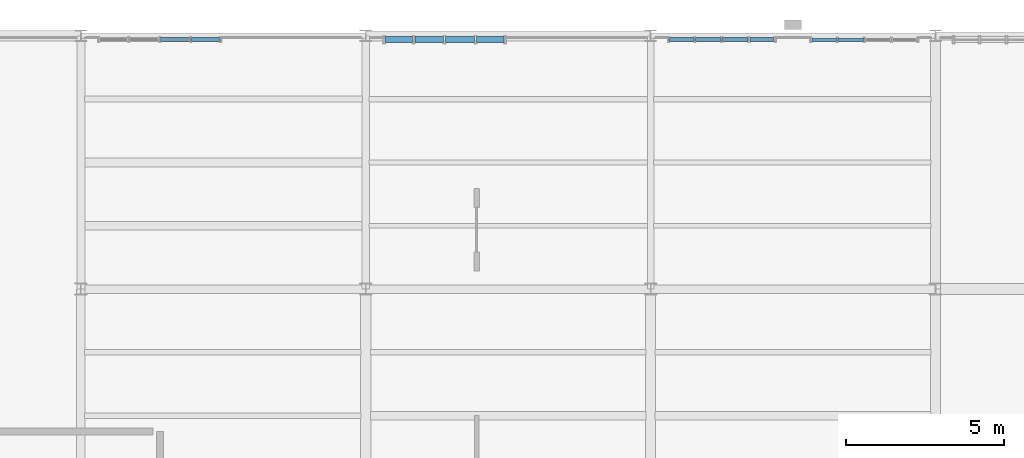
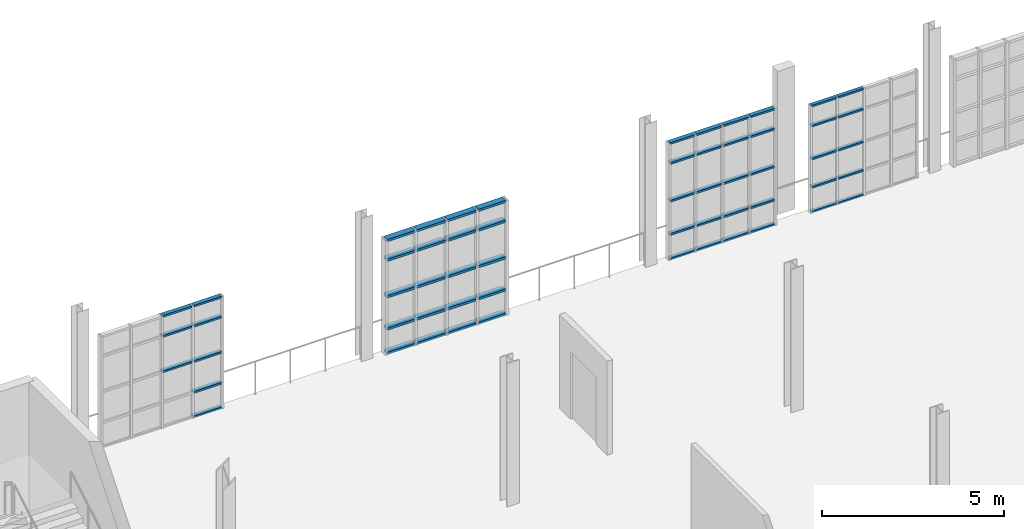
# One storey, part 85 of 118: 58 members, 4 elements without a shape of their own.
"""IFC4 building model written with IfcOpenShell, lengths in metres."""

from ifc_helpers import new_model, si_unit, direction, frame, origin, origin_2d, place, context, subcontext, project, spatial, hollow_rectangle, extrude, material, layer, layer_set, material_profile, profile_set, type_object, element, aggregate, save


model = new_model("IFC4")

# Units and contexts
model_context = context("Model", 3, precision=1e-05, world=origin(), true_north=direction((0.0, 1.0)))
body_context = subcontext(model_context, "Body", "Model", "MODEL_VIEW")
ifc_project = project(units=[si_unit("LENGTHUNIT", "METRE"), si_unit("AREAUNIT", "SQUARE_METRE"), si_unit("VOLUMEUNIT", "CUBIC_METRE"), si_unit("PLANEANGLEUNIT", "RADIAN"), si_unit("MASSUNIT", "GRAM", prefix="KILO"), si_unit("THERMODYNAMICTEMPERATUREUNIT", "KELVIN"), si_unit("POWERUNIT", "WATT")], contexts=[model_context])

# Site, building, storey
site_placement = place(None, origin())
site = spatial("IfcSite", under=ifc_project, at=site_placement, CompositionType="ELEMENT")
building_placement = place(site_placement, origin())
building = spatial("IfcBuilding", under=site, at=building_placement, Name="Zelmaris Science Centre", CompositionType="ELEMENT")
storey_placement = place(building_placement, frame((0.0, 0.0, 15.60009765625)))
storey = spatial("IfcBuildingStorey", under=building, at=storey_placement, Name="L03", CompositionType="ELEMENT", Elevation=15.60009765625)

# Curtain wall, members
ifc_material = material(Name="Anodised architectural aluminium 6063-T6", Category="aluminium")
ifc_layer_1 = layer(ifc_material, 0.219970703125, Name="Anodised architectural aluminium 6063-T6")
ifc_layer_set_1 = layer_set([ifc_layer_1], Name="Anodised architectural aluminium 6063-T6")
curtain_wall_type_1 = type_object("IfcCurtainWallType", Name="Curtain Wall CW-04", PredefinedType="USERDEFINED", material=ifc_layer_set_1)
curtain_wall_1_placement = place(storey_placement, origin())
curtain_wall_1 = element("IfcCurtainWall", 1, at=curtain_wall_1_placement, inside=storey, type_object=curtain_wall_type_1, Name="L03 Unitised curtain wall 288", ObjectType="GLAZED CURTAIN WALL", PredefinedType="USERDEFINED")
ifc_material_profile_1 = material_profile(ifc_material, hollow_rectangle(XDim=0.06005859375, YDim=0.110107421875, WallThickness=0.0029296875, at=origin_2d()), Name="ALU-TRN-60X110")
ifc_profile_set_1 = profile_set([ifc_material_profile_1], Name="Anodised architectural aluminium 6063-T6")
member_type_1 = type_object("IfcMemberType", Name="ALU-TRN-60X110", PredefinedType="USERDEFINED", material=ifc_profile_set_1)
member_1_placement = place(storey_placement, frame((95.092041015625, 87.8798828125, 0.010986328125), z_axis=(1.0, 0.0, 0.0), x_axis=(0.0, 0.0, 1.0)))
member_1 = element("IfcMember", 2, at=member_1_placement, type_object=member_type_1, Name="CW-04 transom 1.1", ObjectType="TRANSOM", PredefinedType="USERDEFINED", context=body_context, shape_type="SweptSolid", body=[
    extrude(hollow_rectangle(XDim=0.06005859375, YDim=0.110107421875, WallThickness=0.0029296875, at=origin_2d()), origin(), (0.0, 0.0, 1.0), 0.77685546875),
])
member_2_placement = place(storey_placement, frame((95.092041015625, 87.8798828125, 0.8349609375), z_axis=(1.0, 0.0, 0.0), x_axis=(0.0, 0.0, 1.0)))
member_2 = element("IfcMember", 3, at=member_2_placement, type_object=member_type_1, Name="CW-04 transom 1.2", ObjectType="TRANSOM", PredefinedType="USERDEFINED", context=body_context, shape_type="SweptSolid", body=[
    extrude(hollow_rectangle(XDim=0.06005859375, YDim=0.110107421875, WallThickness=0.0029296875, at=origin_2d()), origin(), (0.0, 0.0, 1.0), 0.77685546875),
])
member_3_placement = place(storey_placement, frame((95.092041015625, 87.8798828125, 1.786376953125), z_axis=(1.0, 0.0, 0.0), x_axis=(0.0, 0.0, 1.0)))
member_3 = element("IfcMember", 4, at=member_3_placement, type_object=member_type_1, Name="CW-04 transom 1.3", ObjectType="TRANSOM", PredefinedType="USERDEFINED", context=body_context, shape_type="SweptSolid", body=[
    extrude(hollow_rectangle(XDim=0.06005859375, YDim=0.110107421875, WallThickness=0.0029296875, at=origin_2d()), origin(), (0.0, 0.0, 1.0), 0.77685546875),
])
member_4_placement = place(storey_placement, frame((95.092041015625, 87.8798828125, 2.887939453125), z_axis=(1.0, 0.0, 0.0), x_axis=(0.0, 0.0, 1.0)))
member_4 = element("IfcMember", 5, at=member_4_placement, type_object=member_type_1, Name="CW-04 transom 1.4", ObjectType="TRANSOM", PredefinedType="USERDEFINED", context=body_context, shape_type="SweptSolid", body=[
    extrude(hollow_rectangle(XDim=0.06005859375, YDim=0.110107421875, WallThickness=0.0029296875, at=origin_2d()), origin(), (0.0, 0.0, 1.0), 0.77685546875),
])
member_5_placement = place(storey_placement, frame((95.092041015625, 87.8798828125, 3.56201171875), z_axis=(1.0, 0.0, 0.0), x_axis=(0.0, 0.0, 1.0)))
member_5 = element("IfcMember", 6, at=member_5_placement, type_object=member_type_1, Name="CW-04 transom 1.5", ObjectType="TRANSOM", PredefinedType="USERDEFINED", context=body_context, shape_type="SweptSolid", body=[
    extrude(hollow_rectangle(XDim=0.06005859375, YDim=0.110107421875, WallThickness=0.0029296875, at=origin_2d()), origin(), (0.0, 0.0, 1.0), 0.77685546875),
])
member_6_placement = place(storey_placement, frame((95.9208984375, 87.8798828125, 0.010986328125), z_axis=(1.0, 0.0, 0.0), x_axis=(0.0, 0.0, 1.0)))
member_6 = element("IfcMember", 7, at=member_6_placement, type_object=member_type_1, Name="CW-04 transom 2.1", ObjectType="TRANSOM", PredefinedType="USERDEFINED", context=body_context, shape_type="SweptSolid", body=[
    extrude(hollow_rectangle(XDim=0.06005859375, YDim=0.110107421875, WallThickness=0.0029296875, at=origin_2d()), origin(), (0.0, 0.0, 1.0), 0.80322265625),
])
member_7_placement = place(storey_placement, frame((95.9208984375, 87.8798828125, 0.8349609375), z_axis=(1.0, 0.0, 0.0), x_axis=(0.0, 0.0, 1.0)))
member_7 = element("IfcMember", 8, at=member_7_placement, type_object=member_type_1, Name="CW-04 transom 2.2", ObjectType="TRANSOM", PredefinedType="USERDEFINED", context=body_context, shape_type="SweptSolid", body=[
    extrude(hollow_rectangle(XDim=0.06005859375, YDim=0.110107421875, WallThickness=0.0029296875, at=origin_2d()), origin(), (0.0, 0.0, 1.0), 0.80322265625),
])
member_8_placement = place(storey_placement, frame((95.9208984375, 87.8798828125, 1.786376953125), z_axis=(1.0, 0.0, 0.0), x_axis=(0.0, 0.0, 1.0)))
member_8 = element("IfcMember", 9, at=member_8_placement, type_object=member_type_1, Name="CW-04 transom 2.3", ObjectType="TRANSOM", PredefinedType="USERDEFINED", context=body_context, shape_type="SweptSolid", body=[
    extrude(hollow_rectangle(XDim=0.06005859375, YDim=0.110107421875, WallThickness=0.0029296875, at=origin_2d()), origin(), (0.0, 0.0, 1.0), 0.80322265625),
])
member_9_placement = place(storey_placement, frame((95.9208984375, 87.8798828125, 2.887939453125), z_axis=(1.0, 0.0, 0.0), x_axis=(0.0, 0.0, 1.0)))
member_9 = element("IfcMember", 10, at=member_9_placement, type_object=member_type_1, Name="CW-04 transom 2.4", ObjectType="TRANSOM", PredefinedType="USERDEFINED", context=body_context, shape_type="SweptSolid", body=[
    extrude(hollow_rectangle(XDim=0.06005859375, YDim=0.110107421875, WallThickness=0.0029296875, at=origin_2d()), origin(), (0.0, 0.0, 1.0), 0.80322265625),
])
member_10_placement = place(storey_placement, frame((95.9208984375, 87.8798828125, 3.56201171875), z_axis=(1.0, 0.0, 0.0), x_axis=(0.0, 0.0, 1.0)))
member_10 = element("IfcMember", 11, at=member_10_placement, type_object=member_type_1, Name="CW-04 transom 2.5", ObjectType="TRANSOM", PredefinedType="USERDEFINED", context=body_context, shape_type="SweptSolid", body=[
    extrude(hollow_rectangle(XDim=0.06005859375, YDim=0.110107421875, WallThickness=0.0029296875, at=origin_2d()), origin(), (0.0, 0.0, 1.0), 0.80322265625),
])
aggregate(curtain_wall_1, [member_1, member_2, member_3, member_4, member_5, member_6, member_7, member_8, member_9, member_10])

ifc_layer_2 = layer(ifc_material, 0.2099609375, Name="Anodised architectural aluminium 6063-T6")
ifc_layer_set_2 = layer_set([ifc_layer_2], Name="Anodised architectural aluminium 6063-T6")
curtain_wall_type_2 = type_object("IfcCurtainWallType", Name="Curtain Wall CW-03", PredefinedType="USERDEFINED", material=ifc_layer_set_2)
curtain_wall_2_placement = place(storey_placement, origin())
curtain_wall_2 = element("IfcCurtainWall", 12, at=curtain_wall_2_placement, inside=storey, type_object=curtain_wall_type_2, Name="L03 Unitised curtain wall 283", ObjectType="GLAZED CURTAIN WALL", PredefinedType="USERDEFINED")
ifc_material_profile_2 = material_profile(ifc_material, hollow_rectangle(XDim=0.06494140625, YDim=0.1298828125, WallThickness=0.00341796875, at=origin_2d()), Name="ALU-TRN-65X130")
ifc_profile_set_2 = profile_set([ifc_material_profile_2], Name="Anodised architectural aluminium 6063-T6")
member_type_2 = type_object("IfcMemberType", Name="ALU-TRN-65X130", PredefinedType="USERDEFINED", material=ifc_profile_set_2)
member_11_placement = place(storey_placement, frame((74.5185546875, 87.8798828125, 1.868896484375), z_axis=(1.0, 0.0, 0.0), x_axis=(0.0, 0.0, 1.0)))
member_11 = element("IfcMember", 13, at=member_11_placement, type_object=member_type_2, Name="CW-03 transom 3.3", ObjectType="TRANSOM", PredefinedType="USERDEFINED", context=body_context, shape_type="SweptSolid", body=[
    extrude(hollow_rectangle(XDim=0.06494140625, YDim=0.1298828125, WallThickness=0.00341796875, at=origin_2d()), origin(), (0.0, 0.0, 1.0), 0.91796875),
])
member_12_placement = place(storey_placement, frame((74.5185546875, 87.8798828125, 3.052978515625), z_axis=(1.0, 0.0, 0.0), x_axis=(0.0, 0.0, 1.0)))
member_12 = element("IfcMember", 14, at=member_12_placement, type_object=member_type_2, Name="CW-03 transom 3.4", ObjectType="TRANSOM", PredefinedType="USERDEFINED", context=body_context, shape_type="SweptSolid", body=[
    extrude(hollow_rectangle(XDim=0.06494140625, YDim=0.1298828125, WallThickness=0.00341796875, at=origin_2d()), origin(), (0.0, 0.0, 1.0), 0.91796875),
])
member_13_placement = place(storey_placement, frame((74.5185546875, 87.8798828125, 3.724365234375), z_axis=(1.0, 0.0, 0.0), x_axis=(0.0, 0.0, 1.0)))
member_13 = element("IfcMember", 15, at=member_13_placement, type_object=member_type_2, Name="CW-03 transom 3.5", ObjectType="TRANSOM", PredefinedType="USERDEFINED", context=body_context, shape_type="SweptSolid", body=[
    extrude(hollow_rectangle(XDim=0.06494140625, YDim=0.1298828125, WallThickness=0.00341796875, at=origin_2d()), origin(), (0.0, 0.0, 1.0), 0.91796875),
])
member_14_placement = place(storey_placement, frame((75.493408203125, 87.8798828125, 0.013427734375), z_axis=(1.0, 0.0, 0.0), x_axis=(0.0, 0.0, 1.0)))
member_14 = element("IfcMember", 16, at=member_14_placement, type_object=member_type_2, Name="CW-03 transom 4.1", ObjectType="TRANSOM", PredefinedType="USERDEFINED", context=body_context, shape_type="SweptSolid", body=[
    extrude(hollow_rectangle(XDim=0.06494140625, YDim=0.1298828125, WallThickness=0.00341796875, at=origin_2d()), origin(), (0.0, 0.0, 1.0), 0.8896484375),
])
member_15_placement = place(storey_placement, frame((75.493408203125, 87.8798828125, 0.8349609375), z_axis=(1.0, 0.0, 0.0), x_axis=(0.0, 0.0, 1.0)))
member_15 = element("IfcMember", 17, at=member_15_placement, type_object=member_type_2, Name="CW-03 transom 4.2", ObjectType="TRANSOM", PredefinedType="USERDEFINED", context=body_context, shape_type="SweptSolid", body=[
    extrude(hollow_rectangle(XDim=0.06494140625, YDim=0.1298828125, WallThickness=0.00341796875, at=origin_2d()), origin(), (0.0, 0.0, 1.0), 0.8896484375),
])
member_16_placement = place(storey_placement, frame((75.493408203125, 87.8798828125, 1.868896484375), z_axis=(1.0, 0.0, 0.0), x_axis=(0.0, 0.0, 1.0)))
member_16 = element("IfcMember", 18, at=member_16_placement, type_object=member_type_2, Name="CW-03 transom 4.3", ObjectType="TRANSOM", PredefinedType="USERDEFINED", context=body_context, shape_type="SweptSolid", body=[
    extrude(hollow_rectangle(XDim=0.06494140625, YDim=0.1298828125, WallThickness=0.00341796875, at=origin_2d()), origin(), (0.0, 0.0, 1.0), 0.8896484375),
])
member_17_placement = place(storey_placement, frame((75.493408203125, 87.8798828125, 3.052978515625), z_axis=(1.0, 0.0, 0.0), x_axis=(0.0, 0.0, 1.0)))
member_17 = element("IfcMember", 19, at=member_17_placement, type_object=member_type_2, Name="CW-03 transom 4.4", ObjectType="TRANSOM", PredefinedType="USERDEFINED", context=body_context, shape_type="SweptSolid", body=[
    extrude(hollow_rectangle(XDim=0.06494140625, YDim=0.1298828125, WallThickness=0.00341796875, at=origin_2d()), origin(), (0.0, 0.0, 1.0), 0.8896484375),
])
member_18_placement = place(storey_placement, frame((75.493408203125, 87.8798828125, 3.724365234375), z_axis=(1.0, 0.0, 0.0), x_axis=(0.0, 0.0, 1.0)))
member_18 = element("IfcMember", 20, at=member_18_placement, type_object=member_type_2, Name="CW-03 transom 4.5", ObjectType="TRANSOM", PredefinedType="USERDEFINED", context=body_context, shape_type="SweptSolid", body=[
    extrude(hollow_rectangle(XDim=0.06494140625, YDim=0.1298828125, WallThickness=0.00341796875, at=origin_2d()), origin(), (0.0, 0.0, 1.0), 0.8896484375),
])
aggregate(curtain_wall_2, [member_11, member_12, member_13, member_14, member_15, member_16, member_17, member_18])

curtain_wall_3_placement = place(storey_placement, origin())
curtain_wall_3 = element("IfcCurtainWall", 21, at=curtain_wall_3_placement, inside=storey, type_object=curtain_wall_type_2, Name="L03 Unitised curtain wall 287", ObjectType="GLAZED CURTAIN WALL", PredefinedType="USERDEFINED")
member_19_placement = place(storey_placement, frame((90.596923828125, 87.8798828125, 0.013427734375), z_axis=(1.0, 0.0, 0.0), x_axis=(0.0, 0.0, 1.0)))
member_19 = element("IfcMember", 22, at=member_19_placement, type_object=member_type_2, Name="CW-03 transom 1.1", ObjectType="TRANSOM", PredefinedType="USERDEFINED", context=body_context, shape_type="SweptSolid", body=[
    extrude(hollow_rectangle(XDim=0.06494140625, YDim=0.1298828125, WallThickness=0.00341796875, at=origin_2d()), origin(), (0.0, 0.0, 1.0), 0.76953125),
])
member_20_placement = place(storey_placement, frame((90.596923828125, 87.8798828125, 0.8349609375), z_axis=(1.0, 0.0, 0.0), x_axis=(0.0, 0.0, 1.0)))
member_20 = element("IfcMember", 23, at=member_20_placement, type_object=member_type_2, Name="CW-03 transom 1.2", ObjectType="TRANSOM", PredefinedType="USERDEFINED", context=body_context, shape_type="SweptSolid", body=[
    extrude(hollow_rectangle(XDim=0.06494140625, YDim=0.1298828125, WallThickness=0.00341796875, at=origin_2d()), origin(), (0.0, 0.0, 1.0), 0.76953125),
])
member_21_placement = place(storey_placement, frame((90.596923828125, 87.8798828125, 1.950439453125), z_axis=(1.0, 0.0, 0.0), x_axis=(0.0, 0.0, 1.0)))
member_21 = element("IfcMember", 24, at=member_21_placement, type_object=member_type_2, Name="CW-03 transom 1.3", ObjectType="TRANSOM", PredefinedType="USERDEFINED", context=body_context, shape_type="SweptSolid", body=[
    extrude(hollow_rectangle(XDim=0.06494140625, YDim=0.1298828125, WallThickness=0.00341796875, at=origin_2d()), origin(), (0.0, 0.0, 1.0), 0.76953125),
])
member_22_placement = place(storey_placement, frame((90.596923828125, 87.8798828125, 3.2158203125), z_axis=(1.0, 0.0, 0.0), x_axis=(0.0, 0.0, 1.0)))
member_22 = element("IfcMember", 25, at=member_22_placement, type_object=member_type_2, Name="CW-03 transom 1.4", ObjectType="TRANSOM", PredefinedType="USERDEFINED", context=body_context, shape_type="SweptSolid", body=[
    extrude(hollow_rectangle(XDim=0.06494140625, YDim=0.1298828125, WallThickness=0.00341796875, at=origin_2d()), origin(), (0.0, 0.0, 1.0), 0.76953125),
])
member_23_placement = place(storey_placement, frame((90.596923828125, 87.8798828125, 3.887451171875), z_axis=(1.0, 0.0, 0.0), x_axis=(0.0, 0.0, 1.0)))
member_23 = element("IfcMember", 26, at=member_23_placement, type_object=member_type_2, Name="CW-03 transom 1.5", ObjectType="TRANSOM", PredefinedType="USERDEFINED", context=body_context, shape_type="SweptSolid", body=[
    extrude(hollow_rectangle(XDim=0.06494140625, YDim=0.1298828125, WallThickness=0.00341796875, at=origin_2d()), origin(), (0.0, 0.0, 1.0), 0.76953125),
])
member_24_placement = place(storey_placement, frame((91.423583984375, 87.8798828125, 0.013427734375), z_axis=(1.0, 0.0, 0.0), x_axis=(0.0, 0.0, 1.0)))
member_24 = element("IfcMember", 27, at=member_24_placement, type_object=member_type_2, Name="CW-03 transom 2.1", ObjectType="TRANSOM", PredefinedType="USERDEFINED", context=body_context, shape_type="SweptSolid", body=[
    extrude(hollow_rectangle(XDim=0.06494140625, YDim=0.1298828125, WallThickness=0.00341796875, at=origin_2d()), origin(), (0.0, 0.0, 1.0), 0.7978515625),
])
member_25_placement = place(storey_placement, frame((91.423583984375, 87.8798828125, 0.8349609375), z_axis=(1.0, 0.0, 0.0), x_axis=(0.0, 0.0, 1.0)))
member_25 = element("IfcMember", 28, at=member_25_placement, type_object=member_type_2, Name="CW-03 transom 2.2", ObjectType="TRANSOM", PredefinedType="USERDEFINED", context=body_context, shape_type="SweptSolid", body=[
    extrude(hollow_rectangle(XDim=0.06494140625, YDim=0.1298828125, WallThickness=0.00341796875, at=origin_2d()), origin(), (0.0, 0.0, 1.0), 0.7978515625),
])
member_26_placement = place(storey_placement, frame((91.423583984375, 87.8798828125, 1.950439453125), z_axis=(1.0, 0.0, 0.0), x_axis=(0.0, 0.0, 1.0)))
member_26 = element("IfcMember", 29, at=member_26_placement, type_object=member_type_2, Name="CW-03 transom 2.3", ObjectType="TRANSOM", PredefinedType="USERDEFINED", context=body_context, shape_type="SweptSolid", body=[
    extrude(hollow_rectangle(XDim=0.06494140625, YDim=0.1298828125, WallThickness=0.00341796875, at=origin_2d()), origin(), (0.0, 0.0, 1.0), 0.7978515625),
])
member_27_placement = place(storey_placement, frame((91.423583984375, 87.8798828125, 3.2158203125), z_axis=(1.0, 0.0, 0.0), x_axis=(0.0, 0.0, 1.0)))
member_27 = element("IfcMember", 30, at=member_27_placement, type_object=member_type_2, Name="CW-03 transom 2.4", ObjectType="TRANSOM", PredefinedType="USERDEFINED", context=body_context, shape_type="SweptSolid", body=[
    extrude(hollow_rectangle(XDim=0.06494140625, YDim=0.1298828125, WallThickness=0.00341796875, at=origin_2d()), origin(), (0.0, 0.0, 1.0), 0.7978515625),
])
member_28_placement = place(storey_placement, frame((91.423583984375, 87.8798828125, 3.887451171875), z_axis=(1.0, 0.0, 0.0), x_axis=(0.0, 0.0, 1.0)))
member_28 = element("IfcMember", 31, at=member_28_placement, type_object=member_type_2, Name="CW-03 transom 2.5", ObjectType="TRANSOM", PredefinedType="USERDEFINED", context=body_context, shape_type="SweptSolid", body=[
    extrude(hollow_rectangle(XDim=0.06494140625, YDim=0.1298828125, WallThickness=0.00341796875, at=origin_2d()), origin(), (0.0, 0.0, 1.0), 0.7978515625),
])
member_29_placement = place(storey_placement, frame((92.278564453125, 87.8798828125, 0.013427734375), z_axis=(1.0, 0.0, 0.0), x_axis=(0.0, 0.0, 1.0)))
member_29 = element("IfcMember", 32, at=member_29_placement, type_object=member_type_2, Name="CW-03 transom 3.1", ObjectType="TRANSOM", PredefinedType="USERDEFINED", context=body_context, shape_type="SweptSolid", body=[
    extrude(hollow_rectangle(XDim=0.06494140625, YDim=0.1298828125, WallThickness=0.00341796875, at=origin_2d()), origin(), (0.0, 0.0, 1.0), 0.7978515625),
])
member_30_placement = place(storey_placement, frame((92.278564453125, 87.8798828125, 0.8349609375), z_axis=(1.0, 0.0, 0.0), x_axis=(0.0, 0.0, 1.0)))
member_30 = element("IfcMember", 33, at=member_30_placement, type_object=member_type_2, Name="CW-03 transom 3.2", ObjectType="TRANSOM", PredefinedType="USERDEFINED", context=body_context, shape_type="SweptSolid", body=[
    extrude(hollow_rectangle(XDim=0.06494140625, YDim=0.1298828125, WallThickness=0.00341796875, at=origin_2d()), origin(), (0.0, 0.0, 1.0), 0.7978515625),
])
member_31_placement = place(storey_placement, frame((92.278564453125, 87.8798828125, 1.950439453125), z_axis=(1.0, 0.0, 0.0), x_axis=(0.0, 0.0, 1.0)))
member_31 = element("IfcMember", 34, at=member_31_placement, type_object=member_type_2, Name="CW-03 transom 3.3", ObjectType="TRANSOM", PredefinedType="USERDEFINED", context=body_context, shape_type="SweptSolid", body=[
    extrude(hollow_rectangle(XDim=0.06494140625, YDim=0.1298828125, WallThickness=0.00341796875, at=origin_2d()), origin(), (0.0, 0.0, 1.0), 0.7978515625),
])
member_32_placement = place(storey_placement, frame((92.278564453125, 87.8798828125, 3.2158203125), z_axis=(1.0, 0.0, 0.0), x_axis=(0.0, 0.0, 1.0)))
member_32 = element("IfcMember", 35, at=member_32_placement, type_object=member_type_2, Name="CW-03 transom 3.4", ObjectType="TRANSOM", PredefinedType="USERDEFINED", context=body_context, shape_type="SweptSolid", body=[
    extrude(hollow_rectangle(XDim=0.06494140625, YDim=0.1298828125, WallThickness=0.00341796875, at=origin_2d()), origin(), (0.0, 0.0, 1.0), 0.7978515625),
])
member_33_placement = place(storey_placement, frame((92.278564453125, 87.8798828125, 3.887451171875), z_axis=(1.0, 0.0, 0.0), x_axis=(0.0, 0.0, 1.0)))
member_33 = element("IfcMember", 36, at=member_33_placement, type_object=member_type_2, Name="CW-03 transom 3.5", ObjectType="TRANSOM", PredefinedType="USERDEFINED", context=body_context, shape_type="SweptSolid", body=[
    extrude(hollow_rectangle(XDim=0.06494140625, YDim=0.1298828125, WallThickness=0.00341796875, at=origin_2d()), origin(), (0.0, 0.0, 1.0), 0.7978515625),
])
member_34_placement = place(storey_placement, frame((93.133544921875, 87.8798828125, 0.013427734375), z_axis=(1.0, 0.0, 0.0), x_axis=(0.0, 0.0, 1.0)))
member_34 = element("IfcMember", 37, at=member_34_placement, type_object=member_type_2, Name="CW-03 transom 4.1", ObjectType="TRANSOM", PredefinedType="USERDEFINED", context=body_context, shape_type="SweptSolid", body=[
    extrude(hollow_rectangle(XDim=0.06494140625, YDim=0.1298828125, WallThickness=0.00341796875, at=origin_2d()), origin(), (0.0, 0.0, 1.0), 0.76953125),
])
member_35_placement = place(storey_placement, frame((93.133544921875, 87.8798828125, 0.8349609375), z_axis=(1.0, 0.0, 0.0), x_axis=(0.0, 0.0, 1.0)))
member_35 = element("IfcMember", 38, at=member_35_placement, type_object=member_type_2, Name="CW-03 transom 4.2", ObjectType="TRANSOM", PredefinedType="USERDEFINED", context=body_context, shape_type="SweptSolid", body=[
    extrude(hollow_rectangle(XDim=0.06494140625, YDim=0.1298828125, WallThickness=0.00341796875, at=origin_2d()), origin(), (0.0, 0.0, 1.0), 0.76953125),
])
member_36_placement = place(storey_placement, frame((93.133544921875, 87.8798828125, 1.950439453125), z_axis=(1.0, 0.0, 0.0), x_axis=(0.0, 0.0, 1.0)))
member_36 = element("IfcMember", 39, at=member_36_placement, type_object=member_type_2, Name="CW-03 transom 4.3", ObjectType="TRANSOM", PredefinedType="USERDEFINED", context=body_context, shape_type="SweptSolid", body=[
    extrude(hollow_rectangle(XDim=0.06494140625, YDim=0.1298828125, WallThickness=0.00341796875, at=origin_2d()), origin(), (0.0, 0.0, 1.0), 0.76953125),
])
member_37_placement = place(storey_placement, frame((93.133544921875, 87.8798828125, 3.2158203125), z_axis=(1.0, 0.0, 0.0), x_axis=(0.0, 0.0, 1.0)))
member_37 = element("IfcMember", 40, at=member_37_placement, type_object=member_type_2, Name="CW-03 transom 4.4", ObjectType="TRANSOM", PredefinedType="USERDEFINED", context=body_context, shape_type="SweptSolid", body=[
    extrude(hollow_rectangle(XDim=0.06494140625, YDim=0.1298828125, WallThickness=0.00341796875, at=origin_2d()), origin(), (0.0, 0.0, 1.0), 0.76953125),
])
member_38_placement = place(storey_placement, frame((93.133544921875, 87.8798828125, 3.887451171875), z_axis=(1.0, 0.0, 0.0), x_axis=(0.0, 0.0, 1.0)))
member_38 = element("IfcMember", 41, at=member_38_placement, type_object=member_type_2, Name="CW-03 transom 4.5", ObjectType="TRANSOM", PredefinedType="USERDEFINED", context=body_context, shape_type="SweptSolid", body=[
    extrude(hollow_rectangle(XDim=0.06494140625, YDim=0.1298828125, WallThickness=0.00341796875, at=origin_2d()), origin(), (0.0, 0.0, 1.0), 0.76953125),
])
aggregate(curtain_wall_3, [member_19, member_20, member_21, member_22, member_23, member_24, member_25, member_26, member_27, member_28, member_29, member_30, member_31, member_32, member_33, member_34, member_35, member_36, member_37, member_38])

ifc_layer_3 = layer(ifc_material, 0.18994140625, Name="Anodised architectural aluminium 6063-T6")
ifc_layer_set_3 = layer_set([ifc_layer_3], Name="Anodised architectural aluminium 6063-T6")
curtain_wall_type_3 = type_object("IfcCurtainWallType", Name="Curtain Wall CW-01", PredefinedType="USERDEFINED", material=ifc_layer_set_3)
curtain_wall_4_placement = place(storey_placement, origin())
curtain_wall_4 = element("IfcCurtainWall", 42, at=curtain_wall_4_placement, inside=storey, type_object=curtain_wall_type_3, Name="L03 Unitised curtain wall 285", ObjectType="GLAZED CURTAIN WALL", PredefinedType="USERDEFINED")
ifc_material_profile_3 = material_profile(ifc_material, hollow_rectangle(XDim=0.080078125, YDim=0.18994140625, WallThickness=0.00439453125, at=origin_2d()), Name="ALU-TRN-80X190")
ifc_profile_set_3 = profile_set([ifc_material_profile_3], Name="Anodised architectural aluminium 6063-T6")
member_type_3 = type_object("IfcMemberType", Name="ALU-TRN-80X190", PredefinedType="USERDEFINED", material=ifc_profile_set_3)
member_39_placement = place(storey_placement, frame((81.612060546875, 87.8798828125, 0.02099609375), z_axis=(1.0, 0.0, 0.0), x_axis=(0.0, 0.0, 1.0)))
member_39 = element("IfcMember", 43, at=member_39_placement, type_object=member_type_3, Name="CW-01 transom 1.1", ObjectType="TRANSOM", PredefinedType="USERDEFINED", context=body_context, shape_type="SweptSolid", body=[
    extrude(hollow_rectangle(XDim=0.080078125, YDim=0.18994140625, WallThickness=0.00439453125, at=origin_2d()), origin(), (0.0, 0.0, 1.0), 0.866943359375),
])
member_40_placement = place(storey_placement, frame((81.612060546875, 87.8798828125, 0.8349609375), z_axis=(1.0, 0.0, 0.0), x_axis=(0.0, 0.0, 1.0)))
member_40 = element("IfcMember", 44, at=member_40_placement, type_object=member_type_3, Name="CW-01 transom 1.2", ObjectType="TRANSOM", PredefinedType="USERDEFINED", context=body_context, shape_type="SweptSolid", body=[
    extrude(hollow_rectangle(XDim=0.080078125, YDim=0.18994140625, WallThickness=0.00439453125, at=origin_2d()), origin(), (0.0, 0.0, 1.0), 0.866943359375),
])
member_41_placement = place(storey_placement, frame((81.612060546875, 87.8798828125, 1.910888671875), z_axis=(1.0, 0.0, 0.0), x_axis=(0.0, 0.0, 1.0)))
member_41 = element("IfcMember", 45, at=member_41_placement, type_object=member_type_3, Name="CW-01 transom 1.3", ObjectType="TRANSOM", PredefinedType="USERDEFINED", context=body_context, shape_type="SweptSolid", body=[
    extrude(hollow_rectangle(XDim=0.080078125, YDim=0.18994140625, WallThickness=0.00439453125, at=origin_2d()), origin(), (0.0, 0.0, 1.0), 0.866943359375),
])
member_42_placement = place(storey_placement, frame((81.612060546875, 87.8798828125, 3.136962890625), z_axis=(1.0, 0.0, 0.0), x_axis=(0.0, 0.0, 1.0)))
member_42 = element("IfcMember", 46, at=member_42_placement, type_object=member_type_3, Name="CW-01 transom 1.4", ObjectType="TRANSOM", PredefinedType="USERDEFINED", context=body_context, shape_type="SweptSolid", body=[
    extrude(hollow_rectangle(XDim=0.080078125, YDim=0.18994140625, WallThickness=0.00439453125, at=origin_2d()), origin(), (0.0, 0.0, 1.0), 0.866943359375),
])
member_43_placement = place(storey_placement, frame((81.612060546875, 87.8798828125, 3.80078125), z_axis=(1.0, 0.0, 0.0), x_axis=(0.0, 0.0, 1.0)))
member_43 = element("IfcMember", 47, at=member_43_placement, type_object=member_type_3, Name="CW-01 transom 1.5", ObjectType="TRANSOM", PredefinedType="USERDEFINED", context=body_context, shape_type="SweptSolid", body=[
    extrude(hollow_rectangle(XDim=0.080078125, YDim=0.18994140625, WallThickness=0.00439453125, at=origin_2d()), origin(), (0.0, 0.0, 1.0), 0.866943359375),
])
member_44_placement = place(storey_placement, frame((82.551025390625, 87.8798828125, 0.02099609375), z_axis=(1.0, 0.0, 0.0), x_axis=(0.0, 0.0, 1.0)))
member_44 = element("IfcMember", 48, at=member_44_placement, type_object=member_type_3, Name="CW-01 transom 2.1", ObjectType="TRANSOM", PredefinedType="USERDEFINED", context=body_context, shape_type="SweptSolid", body=[
    extrude(hollow_rectangle(XDim=0.080078125, YDim=0.18994140625, WallThickness=0.00439453125, at=origin_2d()), origin(), (0.0, 0.0, 1.0), 0.903076171875),
])
member_45_placement = place(storey_placement, frame((82.551025390625, 87.8798828125, 0.8349609375), z_axis=(1.0, 0.0, 0.0), x_axis=(0.0, 0.0, 1.0)))
member_45 = element("IfcMember", 49, at=member_45_placement, type_object=member_type_3, Name="CW-01 transom 2.2", ObjectType="TRANSOM", PredefinedType="USERDEFINED", context=body_context, shape_type="SweptSolid", body=[
    extrude(hollow_rectangle(XDim=0.080078125, YDim=0.18994140625, WallThickness=0.00439453125, at=origin_2d()), origin(), (0.0, 0.0, 1.0), 0.903076171875),
])
member_46_placement = place(storey_placement, frame((82.551025390625, 87.8798828125, 1.910888671875), z_axis=(1.0, 0.0, 0.0), x_axis=(0.0, 0.0, 1.0)))
member_46 = element("IfcMember", 50, at=member_46_placement, type_object=member_type_3, Name="CW-01 transom 2.3", ObjectType="TRANSOM", PredefinedType="USERDEFINED", context=body_context, shape_type="SweptSolid", body=[
    extrude(hollow_rectangle(XDim=0.080078125, YDim=0.18994140625, WallThickness=0.00439453125, at=origin_2d()), origin(), (0.0, 0.0, 1.0), 0.903076171875),
])
member_47_placement = place(storey_placement, frame((82.551025390625, 87.8798828125, 3.136962890625), z_axis=(1.0, 0.0, 0.0), x_axis=(0.0, 0.0, 1.0)))
member_47 = element("IfcMember", 51, at=member_47_placement, type_object=member_type_3, Name="CW-01 transom 2.4", ObjectType="TRANSOM", PredefinedType="USERDEFINED", context=body_context, shape_type="SweptSolid", body=[
    extrude(hollow_rectangle(XDim=0.080078125, YDim=0.18994140625, WallThickness=0.00439453125, at=origin_2d()), origin(), (0.0, 0.0, 1.0), 0.903076171875),
])
member_48_placement = place(storey_placement, frame((82.551025390625, 87.8798828125, 3.80078125), z_axis=(1.0, 0.0, 0.0), x_axis=(0.0, 0.0, 1.0)))
member_48 = element("IfcMember", 52, at=member_48_placement, type_object=member_type_3, Name="CW-01 transom 2.5", ObjectType="TRANSOM", PredefinedType="USERDEFINED", context=body_context, shape_type="SweptSolid", body=[
    extrude(hollow_rectangle(XDim=0.080078125, YDim=0.18994140625, WallThickness=0.00439453125, at=origin_2d()), origin(), (0.0, 0.0, 1.0), 0.903076171875),
])
member_49_placement = place(storey_placement, frame((83.52587890625, 87.8798828125, 0.02099609375), z_axis=(1.0, 0.0, 0.0), x_axis=(0.0, 0.0, 1.0)))
member_49 = element("IfcMember", 53, at=member_49_placement, type_object=member_type_3, Name="CW-01 transom 3.1", ObjectType="TRANSOM", PredefinedType="USERDEFINED", context=body_context, shape_type="SweptSolid", body=[
    extrude(hollow_rectangle(XDim=0.080078125, YDim=0.18994140625, WallThickness=0.00439453125, at=origin_2d()), origin(), (0.0, 0.0, 1.0), 0.903076171875),
])
member_50_placement = place(storey_placement, frame((83.52587890625, 87.8798828125, 0.8349609375), z_axis=(1.0, 0.0, 0.0), x_axis=(0.0, 0.0, 1.0)))
member_50 = element("IfcMember", 54, at=member_50_placement, type_object=member_type_3, Name="CW-01 transom 3.2", ObjectType="TRANSOM", PredefinedType="USERDEFINED", context=body_context, shape_type="SweptSolid", body=[
    extrude(hollow_rectangle(XDim=0.080078125, YDim=0.18994140625, WallThickness=0.00439453125, at=origin_2d()), origin(), (0.0, 0.0, 1.0), 0.903076171875),
])
member_51_placement = place(storey_placement, frame((83.52587890625, 87.8798828125, 1.910888671875), z_axis=(1.0, 0.0, 0.0), x_axis=(0.0, 0.0, 1.0)))
member_51 = element("IfcMember", 55, at=member_51_placement, type_object=member_type_3, Name="CW-01 transom 3.3", ObjectType="TRANSOM", PredefinedType="USERDEFINED", context=body_context, shape_type="SweptSolid", body=[
    extrude(hollow_rectangle(XDim=0.080078125, YDim=0.18994140625, WallThickness=0.00439453125, at=origin_2d()), origin(), (0.0, 0.0, 1.0), 0.903076171875),
])
member_52_placement = place(storey_placement, frame((83.52587890625, 87.8798828125, 3.136962890625), z_axis=(1.0, 0.0, 0.0), x_axis=(0.0, 0.0, 1.0)))
member_52 = element("IfcMember", 56, at=member_52_placement, type_object=member_type_3, Name="CW-01 transom 3.4", ObjectType="TRANSOM", PredefinedType="USERDEFINED", context=body_context, shape_type="SweptSolid", body=[
    extrude(hollow_rectangle(XDim=0.080078125, YDim=0.18994140625, WallThickness=0.00439453125, at=origin_2d()), origin(), (0.0, 0.0, 1.0), 0.903076171875),
])
member_53_placement = place(storey_placement, frame((83.52587890625, 87.8798828125, 3.80078125), z_axis=(1.0, 0.0, 0.0), x_axis=(0.0, 0.0, 1.0)))
member_53 = element("IfcMember", 57, at=member_53_placement, type_object=member_type_3, Name="CW-01 transom 3.5", ObjectType="TRANSOM", PredefinedType="USERDEFINED", context=body_context, shape_type="SweptSolid", body=[
    extrude(hollow_rectangle(XDim=0.080078125, YDim=0.18994140625, WallThickness=0.00439453125, at=origin_2d()), origin(), (0.0, 0.0, 1.0), 0.903076171875),
])
member_54_placement = place(storey_placement, frame((84.5009765625, 87.8798828125, 0.02099609375), z_axis=(1.0, 0.0, 0.0), x_axis=(0.0, 0.0, 1.0)))
member_54 = element("IfcMember", 58, at=member_54_placement, type_object=member_type_3, Name="CW-01 transom 4.1", ObjectType="TRANSOM", PredefinedType="USERDEFINED", context=body_context, shape_type="SweptSolid", body=[
    extrude(hollow_rectangle(XDim=0.080078125, YDim=0.18994140625, WallThickness=0.00439453125, at=origin_2d()), origin(), (0.0, 0.0, 1.0), 0.866943359375),
])
member_55_placement = place(storey_placement, frame((84.5009765625, 87.8798828125, 0.8349609375), z_axis=(1.0, 0.0, 0.0), x_axis=(0.0, 0.0, 1.0)))
member_55 = element("IfcMember", 59, at=member_55_placement, type_object=member_type_3, Name="CW-01 transom 4.2", ObjectType="TRANSOM", PredefinedType="USERDEFINED", context=body_context, shape_type="SweptSolid", body=[
    extrude(hollow_rectangle(XDim=0.080078125, YDim=0.18994140625, WallThickness=0.00439453125, at=origin_2d()), origin(), (0.0, 0.0, 1.0), 0.866943359375),
])
member_56_placement = place(storey_placement, frame((84.5009765625, 87.8798828125, 1.910888671875), z_axis=(1.0, 0.0, 0.0), x_axis=(0.0, 0.0, 1.0)))
member_56 = element("IfcMember", 60, at=member_56_placement, type_object=member_type_3, Name="CW-01 transom 4.3", ObjectType="TRANSOM", PredefinedType="USERDEFINED", context=body_context, shape_type="SweptSolid", body=[
    extrude(hollow_rectangle(XDim=0.080078125, YDim=0.18994140625, WallThickness=0.00439453125, at=origin_2d()), origin(), (0.0, 0.0, 1.0), 0.866943359375),
])
member_57_placement = place(storey_placement, frame((84.5009765625, 87.8798828125, 3.136962890625), z_axis=(1.0, 0.0, 0.0), x_axis=(0.0, 0.0, 1.0)))
member_57 = element("IfcMember", 61, at=member_57_placement, type_object=member_type_3, Name="CW-01 transom 4.4", ObjectType="TRANSOM", PredefinedType="USERDEFINED", context=body_context, shape_type="SweptSolid", body=[
    extrude(hollow_rectangle(XDim=0.080078125, YDim=0.18994140625, WallThickness=0.00439453125, at=origin_2d()), origin(), (0.0, 0.0, 1.0), 0.866943359375),
])
member_58_placement = place(storey_placement, frame((84.5009765625, 87.8798828125, 3.80078125), z_axis=(1.0, 0.0, 0.0), x_axis=(0.0, 0.0, 1.0)))
member_58 = element("IfcMember", 62, at=member_58_placement, type_object=member_type_3, Name="CW-01 transom 4.5", ObjectType="TRANSOM", PredefinedType="USERDEFINED", context=body_context, shape_type="SweptSolid", body=[
    extrude(hollow_rectangle(XDim=0.080078125, YDim=0.18994140625, WallThickness=0.00439453125, at=origin_2d()), origin(), (0.0, 0.0, 1.0), 0.866943359375),
])
aggregate(curtain_wall_4, [member_39, member_40, member_41, member_42, member_43, member_44, member_45, member_46, member_47, member_48, member_49, member_50, member_51, member_52, member_53, member_54, member_55, member_56, member_57, member_58])

save(model, "model.ifc")
